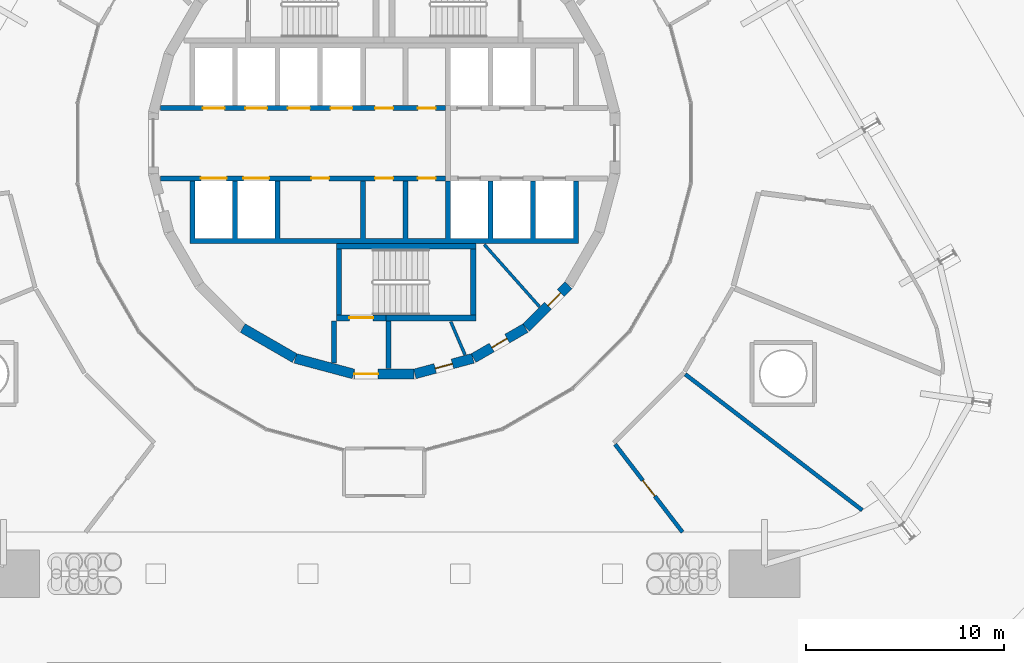
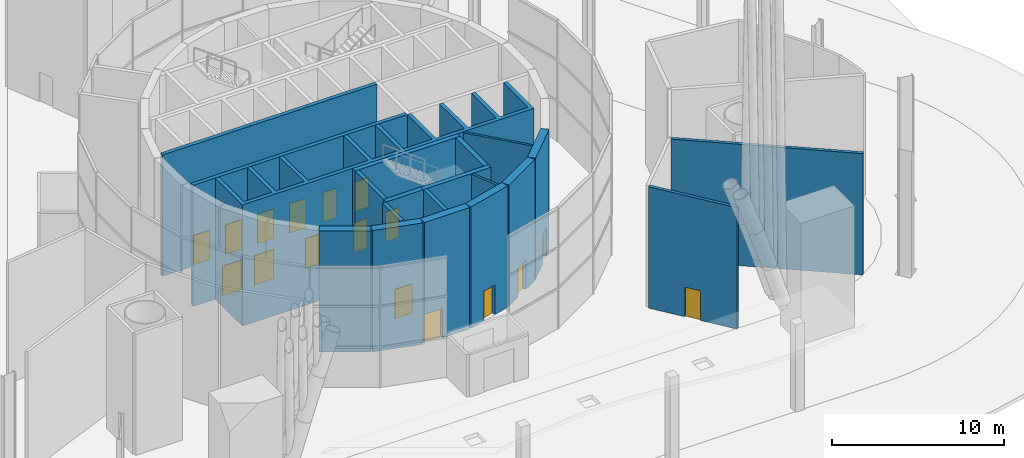
# One storey, part 15 of 21: 20 walls, 17 doors, 17 openings.
"""IFC4 building model written with IfcOpenShell, lengths in metres."""

from ifc_helpers import new_model, si_unit, direction, frame, frame_2d, origin, place, context, subcontext, project, spatial, polyline, rectangle, outline, extrude, material, layer, layer_set, type_object, element, fill, save


model = new_model("IFC4")

# Units and contexts
model_context = context("Model", 3, precision=1e-05, world=origin(), true_north=direction((0.0, 1.0)))
body_context = subcontext(model_context, "Body", "Model", "MODEL_VIEW")
ifc_project = project(units=[si_unit("LENGTHUNIT", "METRE"), si_unit("AREAUNIT", "SQUARE_METRE"), si_unit("VOLUMEUNIT", "CUBIC_METRE"), si_unit("PLANEANGLEUNIT", "RADIAN"), si_unit("MASSUNIT", "GRAM", prefix="KILO")], contexts=[model_context])

# Site, building, storey
site_placement = place(None, origin())
site = spatial("IfcSite", under=ifc_project, at=site_placement, CompositionType="ELEMENT")
building_placement = place(site_placement, origin())
building = spatial("IfcBuilding", under=site, at=building_placement, Name="Spindle Arch Residences", CompositionType="ELEMENT")
storey_placement = place(building_placement, origin())
storey = spatial("IfcBuildingStorey", under=building, at=storey_placement, Name="L00", CompositionType="ELEMENT", Elevation=0.0)

# Wall, opening, door
ifc_material_1 = material(Name="Concrete C50/60", Category="concrete")
ifc_layer_1 = layer(ifc_material_1, 0.5)
ifc_layer_set_1 = layer_set([ifc_layer_1], Name="Core outline wall 500")
wall_type_1 = type_object("IfcWallType", Name="Core outline wall 500", PredefinedType="SHEAR", material=ifc_layer_set_1)
wall_1_placement = place(storey_placement, frame((1.5498046875, -11.642822265625, 0.0), z_axis=(0.0, 0.0, 1.0), x_axis=(0.965948410781, 0.258734743916, 0.0)))
wall_1 = element("IfcWall", 1, at=wall_1_placement, inside=storey, type_object=wall_type_1, Name="Core outline wall 1", PredefinedType="SHEAR", context=body_context, shape_type="SweptSolid", body=[
    extrude(rectangle(XDim=3.03271484375, YDim=0.5, at=frame_2d((1.516357421875, 0.0))), origin(), (0.0, 0.0, 1.0), 8.6201171875),
])
opening_1_placement = place(wall_1_placement, frame((1.06640625, 0.0, 0.0)))
opening_1 = element("IfcOpeningElement", 2, at=opening_1_placement, cuts=wall_1, Name="Opening L00-WD09", PredefinedType="OPENING", context=body_context, shape_type="SweptSolid", body=[
    extrude(rectangle(XDim=0.89990234375, YDim=2.10009765625, at=frame_2d((0.449951171875, 1.050048828125))), frame((0.0, 0.260009765625, 0.0), z_axis=(0.0, -1.0, 0.0), x_axis=(1.0, 0.0, 0.0)), (0.0, 0.0, 1.0), 0.52001953125),
])
ifc_material_2 = material(Name="Steel, fire-resisting door", Category="steel")
door_type_1 = type_object("IfcDoorType", Name="Service room door 900x2100", OperationType="SINGLE_SWING_LEFT", PredefinedType="DOOR", material=ifc_material_2)
door_1_placement = place(opening_1_placement, origin())
door_1 = element("IfcDoor", 3, at=door_1_placement, inside=storey, type_object=door_type_1, Name="Service room door L00-WD09", OperationType="SINGLE_SWING_RIGHT", OverallHeight=2.10009765625, OverallWidth=0.89990234375, PredefinedType="DOOR", context=body_context, shape_type="SweptSolid", body=[
    extrude(rectangle(XDim=0.89990234375, YDim=2.10009765625, at=frame_2d((0.449951171875, 1.050048828125))), frame((0.0, 0.02490234375, 0.0), z_axis=(0.0, -1.0, 0.0), x_axis=(1.0, 0.0, 0.0)), (0.0, 0.0, 1.0), 0.050048828125),
])
fill(opening_1, door_1)

wall_2_placement = place(storey_placement, frame((4.510498046875, -10.84521484375, 0.0), z_axis=(0.0, 0.0, 1.0), x_axis=(0.865975092491, 0.500087131594, 0.0)))
wall_2 = element("IfcWall", 4, at=wall_2_placement, inside=storey, type_object=wall_type_1, Name="Core outline wall 2", PredefinedType="SHEAR", context=body_context, shape_type="SweptSolid", body=[
    extrude(rectangle(XDim=3.03271484375, YDim=0.5, at=frame_2d((1.516357421875, 0.0))), origin(), (0.0, 0.0, 1.0), 8.6201171875),
])
opening_2_placement = place(wall_2_placement, frame((1.06640625, 0.0, 0.0)))
opening_2 = element("IfcOpeningElement", 5, at=opening_2_placement, cuts=wall_2, Name="Opening L00-WD10", PredefinedType="OPENING", context=body_context, shape_type="SweptSolid", body=[
    extrude(rectangle(XDim=0.89990234375, YDim=2.10009765625, at=frame_2d((0.449951171875, 1.050048828125))), frame((0.0, 0.260009765625, 0.0), z_axis=(0.0, -1.0, 0.0), x_axis=(1.0, 0.0, 0.0)), (0.0, 0.0, 1.0), 0.52001953125),
])
door_2_placement = place(opening_2_placement, origin())
door_2 = element("IfcDoor", 6, at=door_2_placement, inside=storey, type_object=door_type_1, Name="Service room door L00-WD10", OperationType="SINGLE_SWING_LEFT", OverallHeight=2.10009765625, OverallWidth=0.89990234375, PredefinedType="DOOR", context=body_context, shape_type="SweptSolid", body=[
    extrude(rectangle(XDim=0.89990234375, YDim=2.10009765625, at=frame_2d((0.449951171875, 1.050048828125))), frame((0.0, 0.02490234375, 0.0), z_axis=(0.0, -1.0, 0.0), x_axis=(1.0, 0.0, 0.0)), (0.0, 0.0, 1.0), 0.050048828125),
])
fill(opening_2, door_2)

wall_3_placement = place(storey_placement, frame((7.163818359375, -9.30810546875, 0.0), z_axis=(0.0, 0.0, 1.0), x_axis=(0.707106781187, 0.707106781187, 0.0)))
wall_3 = element("IfcWall", 7, at=wall_3_placement, inside=storey, type_object=wall_type_1, Name="Core outline wall 3", PredefinedType="SHEAR", context=body_context, shape_type="SweptSolid", body=[
    extrude(rectangle(XDim=3.032470703125, YDim=0.5, at=frame_2d((1.51611328125, 0.0))), origin(), (0.0, 0.0, 1.0), 8.6201171875),
])
opening_3_placement = place(wall_3_placement, frame((1.56640625, 0.0, 0.0)))
opening_3 = element("IfcOpeningElement", 8, at=opening_3_placement, cuts=wall_3, Name="Opening L00-WD08", PredefinedType="OPENING", context=body_context, shape_type="SweptSolid", body=[
    extrude(rectangle(XDim=0.89990234375, YDim=2.10009765625, at=frame_2d((0.449951171875, 1.050048828125))), frame((0.0, 0.260009765625, 0.0), z_axis=(0.0, -1.0, 0.0), x_axis=(1.0, 0.0, 0.0)), (0.0, 0.0, 1.0), 0.52001953125),
])
door_3_placement = place(opening_3_placement, origin())
door_3 = element("IfcDoor", 9, at=door_3_placement, inside=storey, type_object=door_type_1, Name="Service room door L00-WD08", OperationType="SINGLE_SWING_LEFT", OverallHeight=2.10009765625, OverallWidth=0.89990234375, PredefinedType="DOOR", context=body_context, shape_type="SweptSolid", body=[
    extrude(rectangle(XDim=0.89990234375, YDim=2.10009765625, at=frame_2d((0.449951171875, 1.050048828125))), frame((0.0, 0.02490234375, 0.0), z_axis=(0.0, -1.0, 0.0), x_axis=(1.0, 0.0, 0.0)), (0.0, 0.0, 1.0), 0.050048828125),
])
fill(opening_3, door_3)

# Walls
for number, where, z_axis, x_axis, name in (
    (10, (-7.13671875, -9.32861328125, 0.0), (0.0, 0.0, 1.0), (0.865975092491, -0.500087131594, 0.0), "Core outline wall 22"),
    (11, (-4.479248046875, -10.858154296875, 0.0), (0.0, 0.0, 1.0), (0.965948410781, -0.258734743916, 0.0), "Core outline wall 23"),
):
    element("IfcWall", number, at=place(storey_placement, frame(where, z_axis=z_axis, x_axis=x_axis)), inside=storey, type_object=wall_type_1, Name=name, PredefinedType="SHEAR", context=body_context, shape_type="SweptSolid", body=[
        extrude(rectangle(XDim=3.03271484375, YDim=0.5, at=frame_2d((1.516357421875, 0.0))), origin(), (0.0, 0.0, 1.0), 8.6201171875),
    ])

# Wall, opening, door
wall_4_placement = place(storey_placement, frame((-1.516357421875, -11.647216796875, 0.0), z_axis=(0.0, 0.0, 1.0), x_axis=(1.0, 0.0, 0.0)))
wall_4 = element("IfcWall", 12, at=wall_4_placement, inside=storey, type_object=wall_type_1, Name="Core outline wall 24", PredefinedType="SHEAR", context=body_context, shape_type="SweptSolid", body=[
    extrude(rectangle(XDim=3.03271484375, YDim=0.5, at=frame_2d((1.516357421875, 0.0))), origin(), (0.0, 0.0, 1.0), 8.6201171875),
])
opening_4_placement = place(wall_4_placement, frame((0.016357421875, 0.0, 0.0)))
opening_4 = element("IfcOpeningElement", 13, at=opening_4_placement, cuts=wall_4, Name="Opening L00-AD03", PredefinedType="OPENING", context=body_context, shape_type="SweptSolid", body=[
    extrude(rectangle(XDim=1.199951171875, YDim=2.10009765625, at=frame_2d((0.60009765625, 1.050048828125))), frame((0.0, 0.260009765625, 0.0), z_axis=(0.0, -1.0, 0.0), x_axis=(1.0, 0.0, 0.0)), (0.0, 0.0, 1.0), 0.52001953125),
])
ifc_material_3 = material(Name="Steel, fire-resisting door", Category="steel")
door_type_2 = type_object("IfcDoorType", Name="Stair airlock door 1200x2100", OperationType="SINGLE_SWING_LEFT", PredefinedType="DOOR", material=ifc_material_3)
door_4_placement = place(opening_4_placement, origin())
door_4 = element("IfcDoor", 14, at=door_4_placement, inside=storey, type_object=door_type_2, Name="Stair airlock door L00-AD03", OperationType="SINGLE_SWING_RIGHT", OverallHeight=2.10009765625, OverallWidth=1.199951171875, PredefinedType="DOOR", context=body_context, shape_type="SweptSolid", body=[
    extrude(rectangle(XDim=1.199951171875, YDim=2.10009765625, at=frame_2d((0.60009765625, 1.050048828125))), frame((0.0, 0.02490234375, 0.0), z_axis=(0.0, -1.0, 0.0), x_axis=(1.0, 0.0, 0.0)), (0.0, 0.0, 1.0), 0.050048828125),
])
fill(opening_4, door_4)

# Wall, openings, doors
ifc_material_4 = material(Name="Concrete C50/60", Category="concrete")
ifc_layer_2 = layer(ifc_material_4, 0.25)
ifc_layer_set_2 = layer_set([ifc_layer_2], Name="Lift shaft wall 250")
wall_type_2 = type_object("IfcWallType", Name="Lift shaft wall 250", PredefinedType="SHEAR", material=ifc_layer_set_2)
wall_5_placement = place(storey_placement, frame((-11.280029296875, 1.77490234375, 0.0), z_axis=(0.0, 0.0, 1.0), x_axis=(1.0, 0.0, 0.0)))
wall_5 = element("IfcWall", 15, at=wall_5_placement, inside=storey, type_object=wall_type_2, Name="Lift shaft front wall NW", PredefinedType="SHEAR", context=body_context, shape_type="SweptSolid", body=[
    extrude(rectangle(XDim=14.380126953125, YDim=0.25, at=frame_2d((7.18994140625, 0.0))), origin(), (0.0, 0.0, 1.0), 8.6201171875),
])
opening_5_placement = place(wall_5_placement, frame((2.1298828125, 0.0, 0.0)))
opening_5 = element("IfcOpeningElement", 16, at=opening_5_placement, cuts=wall_5, Name="Opening L00-LD01", PredefinedType="OPENING", context=body_context, shape_type="SweptSolid", body=[
    extrude(rectangle(XDim=1.10009765625, YDim=2.10009765625, at=frame_2d((0.550048828125, 1.050048828125))), frame((0.0, 0.135009765625, 0.0), z_axis=(0.0, -1.0, 0.0), x_axis=(1.0, 0.0, 0.0)), (0.0, 0.0, 1.0), 0.27001953125),
])
opening_6_placement = place(wall_5_placement, frame((4.280029296875, 0.0, 0.0)))
opening_6 = element("IfcOpeningElement", 17, at=opening_6_placement, cuts=wall_5, Name="Opening L00-LD02", PredefinedType="OPENING", context=body_context, shape_type="SweptSolid", body=[
    extrude(rectangle(XDim=1.10009765625, YDim=2.10009765625, at=frame_2d((0.550048828125, 1.050048828125))), frame((0.0, 0.135009765625, 0.0), z_axis=(0.0, -1.0, 0.0), x_axis=(1.0, 0.0, 0.0)), (0.0, 0.0, 1.0), 0.27001953125),
])
opening_7_placement = place(wall_5_placement, frame((6.429931640625, 0.0, 0.0)))
opening_7 = element("IfcOpeningElement", 18, at=opening_7_placement, cuts=wall_5, Name="Opening L00-LD03", PredefinedType="OPENING", context=body_context, shape_type="SweptSolid", body=[
    extrude(rectangle(XDim=1.10009765625, YDim=2.10009765625, at=frame_2d((0.550048828125, 1.050048828125))), frame((0.0, 0.135009765625, 0.0), z_axis=(0.0, -1.0, 0.0), x_axis=(1.0, 0.0, 0.0)), (0.0, 0.0, 1.0), 0.27001953125),
])
opening_8_placement = place(wall_5_placement, frame((8.580078125, 0.0, 0.0)))
opening_8 = element("IfcOpeningElement", 19, at=opening_8_placement, cuts=wall_5, Name="Opening L00-LD04", PredefinedType="OPENING", context=body_context, shape_type="SweptSolid", body=[
    extrude(rectangle(XDim=1.10009765625, YDim=2.10009765625, at=frame_2d((0.550048828125, 1.050048828125))), frame((0.0, 0.135009765625, 0.0), z_axis=(0.0, -1.0, 0.0), x_axis=(1.0, 0.0, 0.0)), (0.0, 0.0, 1.0), 0.27001953125),
])
opening_9_placement = place(wall_5_placement, frame((10.830078125, 0.0, 0.0)))
opening_9 = element("IfcOpeningElement", 20, at=opening_9_placement, cuts=wall_5, Name="Opening L00-WD01", PredefinedType="OPENING", context=body_context, shape_type="SweptSolid", body=[
    extrude(rectangle(XDim=0.89990234375, YDim=2.10009765625, at=frame_2d((0.449951171875, 1.050048828125))), frame((0.0, 0.135009765625, 0.0), z_axis=(0.0, -1.0, 0.0), x_axis=(1.0, 0.0, 0.0)), (0.0, 0.0, 1.0), 0.27001953125),
])
opening_10_placement = place(wall_5_placement, frame((12.97998046875, 0.0, 0.0)))
opening_10 = element("IfcOpeningElement", 21, at=opening_10_placement, cuts=wall_5, Name="Opening L00-WD02", PredefinedType="OPENING", context=body_context, shape_type="SweptSolid", body=[
    extrude(rectangle(XDim=0.89990234375, YDim=2.10009765625, at=frame_2d((0.449951171875, 1.050048828125))), frame((0.0, 0.135009765625, 0.0), z_axis=(0.0, -1.0, 0.0), x_axis=(1.0, 0.0, 0.0)), (0.0, 0.0, 1.0), 0.27001953125),
])
ifc_material_5 = material(Name="Steel, fire-resisting landing door", Category="steel")
door_type_3 = type_object("IfcDoorType", Name="Lift landing door 1100x2100", OperationType="DOUBLE_DOOR_SLIDING", PredefinedType="DOOR", material=ifc_material_5)
door_5_placement = place(opening_5_placement, origin())
door_5 = element("IfcDoor", 22, at=door_5_placement, inside=storey, type_object=door_type_3, Name="Lift landing door L00-LD01", OperationType="DOUBLE_DOOR_SLIDING", OverallHeight=2.10009765625, OverallWidth=1.10009765625, PredefinedType="DOOR", context=body_context, shape_type="SweptSolid", body=[
    extrude(rectangle(XDim=1.10009765625, YDim=2.10009765625, at=frame_2d((0.550048828125, 1.050048828125))), frame((0.0, 0.02490234375, 0.0), z_axis=(0.0, -1.0, 0.0), x_axis=(1.0, 0.0, 0.0)), (0.0, 0.0, 1.0), 0.050048828125),
])
fill(opening_5, door_5)
door_6_placement = place(opening_6_placement, origin())
door_6 = element("IfcDoor", 23, at=door_6_placement, inside=storey, type_object=door_type_3, Name="Lift landing door L00-LD02", OperationType="DOUBLE_DOOR_SLIDING", OverallHeight=2.10009765625, OverallWidth=1.10009765625, PredefinedType="DOOR", context=body_context, shape_type="SweptSolid", body=[
    extrude(rectangle(XDim=1.10009765625, YDim=2.10009765625, at=frame_2d((0.550048828125, 1.050048828125))), frame((0.0, 0.02490234375, 0.0), z_axis=(0.0, -1.0, 0.0), x_axis=(1.0, 0.0, 0.0)), (0.0, 0.0, 1.0), 0.050048828125),
])
fill(opening_6, door_6)
door_7_placement = place(opening_7_placement, origin())
door_7 = element("IfcDoor", 24, at=door_7_placement, inside=storey, type_object=door_type_3, Name="Lift landing door L00-LD03", OperationType="DOUBLE_DOOR_SLIDING", OverallHeight=2.10009765625, OverallWidth=1.10009765625, PredefinedType="DOOR", context=body_context, shape_type="SweptSolid", body=[
    extrude(rectangle(XDim=1.10009765625, YDim=2.10009765625, at=frame_2d((0.550048828125, 1.050048828125))), frame((0.0, 0.02490234375, 0.0), z_axis=(0.0, -1.0, 0.0), x_axis=(1.0, 0.0, 0.0)), (0.0, 0.0, 1.0), 0.050048828125),
])
fill(opening_7, door_7)
door_8_placement = place(opening_8_placement, origin())
door_8 = element("IfcDoor", 25, at=door_8_placement, inside=storey, type_object=door_type_3, Name="Lift landing door L00-LD04", OperationType="DOUBLE_DOOR_SLIDING", OverallHeight=2.10009765625, OverallWidth=1.10009765625, PredefinedType="DOOR", context=body_context, shape_type="SweptSolid", body=[
    extrude(rectangle(XDim=1.10009765625, YDim=2.10009765625, at=frame_2d((0.550048828125, 1.050048828125))), frame((0.0, 0.02490234375, 0.0), z_axis=(0.0, -1.0, 0.0), x_axis=(1.0, 0.0, 0.0)), (0.0, 0.0, 1.0), 0.050048828125),
])
fill(opening_8, door_8)
door_9_placement = place(opening_9_placement, origin())
door_9 = element("IfcDoor", 26, at=door_9_placement, inside=storey, type_object=door_type_1, Name="Service room door L00-WD01", OperationType="SINGLE_SWING_RIGHT", OverallHeight=2.10009765625, OverallWidth=0.89990234375, PredefinedType="DOOR", context=body_context, shape_type="SweptSolid", body=[
    extrude(rectangle(XDim=0.89990234375, YDim=2.10009765625, at=frame_2d((0.449951171875, 1.050048828125))), frame((0.0, 0.02490234375, 0.0), z_axis=(0.0, -1.0, 0.0), x_axis=(1.0, 0.0, 0.0)), (0.0, 0.0, 1.0), 0.050048828125),
])
fill(opening_9, door_9)
door_10_placement = place(opening_10_placement, origin())
door_10 = element("IfcDoor", 27, at=door_10_placement, inside=storey, type_object=door_type_1, Name="Service room door L00-WD02", OperationType="SINGLE_SWING_LEFT", OverallHeight=2.10009765625, OverallWidth=0.89990234375, PredefinedType="DOOR", context=body_context, shape_type="SweptSolid", body=[
    extrude(rectangle(XDim=0.89990234375, YDim=2.10009765625, at=frame_2d((0.449951171875, 1.050048828125))), frame((0.0, 0.02490234375, 0.0), z_axis=(0.0, -1.0, 0.0), x_axis=(1.0, 0.0, 0.0)), (0.0, 0.0, 1.0), 0.050048828125),
])
fill(opening_10, door_10)

wall_6_placement = place(storey_placement, frame((-11.280029296875, -1.77490234375, 0.0), z_axis=(0.0, 0.0, 1.0), x_axis=(1.0, 0.0, 0.0)))
wall_6 = element("IfcWall", 28, at=wall_6_placement, inside=storey, type_object=wall_type_2, Name="Lift shaft front wall SW", PredefinedType="SHEAR", context=body_context, shape_type="SweptSolid", body=[
    extrude(rectangle(XDim=14.380126953125, YDim=0.25, at=frame_2d((7.18994140625, 0.0))), origin(), (0.0, 0.0, 1.0), 8.6201171875),
])
opening_11_placement = place(wall_6_placement, frame((2.030029296875, 0.0, 0.0)))
opening_11 = element("IfcOpeningElement", 29, at=opening_11_placement, cuts=wall_6, Name="Opening L00-XLD01", PredefinedType="OPENING", context=body_context, shape_type="SweptSolid", body=[
    extrude(rectangle(XDim=1.300048828125, YDim=2.10009765625, at=frame_2d((0.64990234375, 1.050048828125))), frame((0.0, 0.135009765625, 0.0), z_axis=(0.0, -1.0, 0.0), x_axis=(1.0, 0.0, 0.0)), (0.0, 0.0, 1.0), 0.27001953125),
])
opening_12_placement = place(wall_6_placement, frame((4.179931640625, 0.0, 0.0)))
opening_12 = element("IfcOpeningElement", 30, at=opening_12_placement, cuts=wall_6, Name="Opening L00-XLD02", PredefinedType="OPENING", context=body_context, shape_type="SweptSolid", body=[
    extrude(rectangle(XDim=1.300048828125, YDim=2.10009765625, at=frame_2d((0.64990234375, 1.050048828125))), frame((0.0, 0.135009765625, 0.0), z_axis=(0.0, -1.0, 0.0), x_axis=(1.0, 0.0, 0.0)), (0.0, 0.0, 1.0), 0.27001953125),
])
opening_13_placement = place(wall_6_placement, frame((7.60498046875, 0.0, 0.0)))
opening_13 = element("IfcOpeningElement", 31, at=opening_13_placement, cuts=wall_6, Name="Opening L00-WD04", PredefinedType="OPENING", context=body_context, shape_type="SweptSolid", body=[
    extrude(rectangle(XDim=0.89990234375, YDim=2.10009765625, at=frame_2d((0.449951171875, 1.050048828125))), frame((0.0, 0.135009765625, 0.0), z_axis=(0.0, -1.0, 0.0), x_axis=(1.0, 0.0, 0.0)), (0.0, 0.0, 1.0), 0.27001953125),
])
opening_14_placement = place(wall_6_placement, frame((10.830078125, 0.0, 0.0)))
opening_14 = element("IfcOpeningElement", 32, at=opening_14_placement, cuts=wall_6, Name="Opening L00-WD05", PredefinedType="OPENING", context=body_context, shape_type="SweptSolid", body=[
    extrude(rectangle(XDim=0.89990234375, YDim=2.10009765625, at=frame_2d((0.449951171875, 1.050048828125))), frame((0.0, 0.135009765625, 0.0), z_axis=(0.0, -1.0, 0.0), x_axis=(1.0, 0.0, 0.0)), (0.0, 0.0, 1.0), 0.27001953125),
])
opening_15_placement = place(wall_6_placement, frame((12.97998046875, 0.0, 0.0)))
opening_15 = element("IfcOpeningElement", 33, at=opening_15_placement, cuts=wall_6, Name="Opening L00-WD06", PredefinedType="OPENING", context=body_context, shape_type="SweptSolid", body=[
    extrude(rectangle(XDim=0.89990234375, YDim=2.10009765625, at=frame_2d((0.449951171875, 1.050048828125))), frame((0.0, 0.135009765625, 0.0), z_axis=(0.0, -1.0, 0.0), x_axis=(1.0, 0.0, 0.0)), (0.0, 0.0, 1.0), 0.27001953125),
])
ifc_material_6 = material(Name="Steel, fire-resisting landing door", Category="steel")
door_type_4 = type_object("IfcDoorType", Name="Express shuttle landing door 1300x2100", OperationType="DOUBLE_DOOR_SLIDING", PredefinedType="DOOR", material=ifc_material_6)
door_11_placement = place(opening_11_placement, origin())
door_11 = element("IfcDoor", 34, at=door_11_placement, inside=storey, type_object=door_type_4, Name="Express shuttle landing door L00-XLD01", OperationType="DOUBLE_DOOR_SLIDING", OverallHeight=2.10009765625, OverallWidth=1.300048828125, PredefinedType="DOOR", context=body_context, shape_type="SweptSolid", body=[
    extrude(rectangle(XDim=1.300048828125, YDim=2.10009765625, at=frame_2d((0.64990234375, 1.050048828125))), frame((0.0, 0.02490234375, 0.0), z_axis=(0.0, -1.0, 0.0), x_axis=(1.0, 0.0, 0.0)), (0.0, 0.0, 1.0), 0.050048828125),
])
fill(opening_11, door_11)
door_12_placement = place(opening_12_placement, origin())
door_12 = element("IfcDoor", 35, at=door_12_placement, inside=storey, type_object=door_type_4, Name="Express shuttle landing door L00-XLD02", OperationType="DOUBLE_DOOR_SLIDING", OverallHeight=2.10009765625, OverallWidth=1.300048828125, PredefinedType="DOOR", context=body_context, shape_type="SweptSolid", body=[
    extrude(rectangle(XDim=1.300048828125, YDim=2.10009765625, at=frame_2d((0.64990234375, 1.050048828125))), frame((0.0, 0.02490234375, 0.0), z_axis=(0.0, -1.0, 0.0), x_axis=(1.0, 0.0, 0.0)), (0.0, 0.0, 1.0), 0.050048828125),
])
fill(opening_12, door_12)
door_13_placement = place(opening_13_placement, origin())
door_13 = element("IfcDoor", 36, at=door_13_placement, inside=storey, type_object=door_type_1, Name="Service room door L00-WD04", OperationType="SINGLE_SWING_LEFT", OverallHeight=2.10009765625, OverallWidth=0.89990234375, PredefinedType="DOOR", context=body_context, shape_type="SweptSolid", body=[
    extrude(rectangle(XDim=0.89990234375, YDim=2.10009765625, at=frame_2d((0.449951171875, 1.050048828125))), frame((0.0, 0.02490234375, 0.0), z_axis=(0.0, -1.0, 0.0), x_axis=(1.0, 0.0, 0.0)), (0.0, 0.0, 1.0), 0.050048828125),
])
fill(opening_13, door_13)
door_14_placement = place(opening_14_placement, origin())
door_14 = element("IfcDoor", 37, at=door_14_placement, inside=storey, type_object=door_type_1, Name="Service room door L00-WD05", OperationType="SINGLE_SWING_RIGHT", OverallHeight=2.10009765625, OverallWidth=0.89990234375, PredefinedType="DOOR", context=body_context, shape_type="SweptSolid", body=[
    extrude(rectangle(XDim=0.89990234375, YDim=2.10009765625, at=frame_2d((0.449951171875, 1.050048828125))), frame((0.0, 0.02490234375, 0.0), z_axis=(0.0, -1.0, 0.0), x_axis=(1.0, 0.0, 0.0)), (0.0, 0.0, 1.0), 0.050048828125),
])
fill(opening_14, door_14)
door_15_placement = place(opening_15_placement, origin())
door_15 = element("IfcDoor", 38, at=door_15_placement, inside=storey, type_object=door_type_1, Name="Service room door L00-WD06", OperationType="SINGLE_SWING_LEFT", OverallHeight=2.10009765625, OverallWidth=0.89990234375, PredefinedType="DOOR", context=body_context, shape_type="SweptSolid", body=[
    extrude(rectangle(XDim=0.89990234375, YDim=2.10009765625, at=frame_2d((0.449951171875, 1.050048828125))), frame((0.0, 0.02490234375, 0.0), z_axis=(0.0, -1.0, 0.0), x_axis=(1.0, 0.0, 0.0)), (0.0, 0.0, 1.0), 0.050048828125),
])
fill(opening_15, door_15)

# Wall
ifc_material_7 = material(Name="Concrete C50/60", Category="concrete")
wall_type_3 = type_object("IfcWallType", Name="Lift shaft wall profile", PredefinedType="SHEAR", material=ifc_material_7)
wall_7_placement = place(storey_placement, origin())
element("IfcWall", 39, at=wall_7_placement, inside=storey, type_object=wall_type_3, Name="Lift shaft walls S", PredefinedType="SHEAR", context=body_context, shape_type="SweptSolid", body=[
    extrude(outline(polyline([(9.800048828125, -5.050048828125), (9.800048828125, -4.800048828125), (9.800048828125, -1.89990234375), (9.550048828125, -1.89990234375), (9.550048828125, -4.800048828125), (7.64990234375, -4.800048828125), (7.64990234375, -1.89990234375), (7.39990234375, -1.89990234375), (7.39990234375, -4.800048828125), (5.5, -4.800048828125), (5.5, -1.89990234375), (5.25, -1.89990234375), (5.25, -4.800048828125), (3.35009765625, -4.800048828125), (3.35009765625, -1.89990234375), (3.10009765625, -1.89990234375), (3.10009765625, -4.800048828125), (1.199951171875, -4.800048828125), (1.199951171875, -1.89990234375), (0.949951171875, -1.89990234375), (0.949951171875, -4.800048828125), (-0.949951171875, -4.800048828125), (-0.949951171875, -1.89990234375), (-1.199951171875, -1.89990234375), (-1.199951171875, -4.800048828125), (-5.25, -4.800048828125), (-5.25, -1.89990234375), (-5.5, -1.89990234375), (-5.5, -4.800048828125), (-7.39990234375, -4.800048828125), (-7.39990234375, -1.89990234375), (-7.64990234375, -1.89990234375), (-7.64990234375, -4.800048828125), (-9.550048828125, -4.800048828125), (-9.550048828125, -1.89990234375), (-9.800048828125, -1.89990234375), (-9.800048828125, -4.800048828125), (-9.800048828125, -5.050048828125), (9.800048828125, -5.050048828125)])), origin(), (0.0, 0.0, 1.0), 8.6201171875),
])

# Wall, opening, door
ifc_material_8 = material(Name="Gypsum board partition on steel studs", Category="steel")
ifc_layer_3 = layer(ifc_material_8, 0.199951171875)
ifc_layer_set_3 = layer_set([ifc_layer_3], Name="Partition EI 60 200 amenity")
wall_type_4 = type_object("IfcWallType", Name="Partition EI 60 200 amenity", PredefinedType="PARTITIONING", material=ifc_layer_set_3)
wall_8_placement = place(storey_placement, frame((15.06005859375, -19.6298828125, 0.0), z_axis=(0.0, 0.0, 1.0), x_axis=(-0.608694005511, 0.793405071609, 0.0)))
wall_8 = element("IfcWall", 40, at=wall_8_placement, inside=storey, type_object=wall_type_4, Name="L00-W050", PredefinedType="PARTITIONING", context=body_context, shape_type="SweptSolid", body=[
    extrude(rectangle(XDim=5.58447265625, YDim=0.199951171875, at=frame_2d((2.792236328125, 0.0))), origin(), (0.0, 0.0, 1.0), 8.6201171875),
])
opening_16_placement = place(wall_8_placement, frame((2.292236328125, 0.0, 0.0)))
opening_16 = element("IfcOpeningElement", 41, at=opening_16_placement, cuts=wall_8, Name="Opening L00-D03", PredefinedType="OPENING", context=body_context, shape_type="SweptSolid", body=[
    extrude(rectangle(XDim=1.0, YDim=2.10009765625, at=frame_2d((0.5, 1.050048828125))), frame((0.0, 0.10986328125, 0.0), z_axis=(0.0, -1.0, 0.0), x_axis=(1.0, 0.0, 0.0)), (0.0, 0.0, 1.0), 0.219970703125),
])
ifc_material_9 = material(Name="Timber door leaf", Category="wood")
door_type_5 = type_object("IfcDoorType", Name="Door 1000x2100 EI 30", OperationType="SINGLE_SWING_LEFT", PredefinedType="DOOR", material=ifc_material_9)
door_16_placement = place(opening_16_placement, origin())
door_16 = element("IfcDoor", 42, at=door_16_placement, inside=storey, type_object=door_type_5, Name="L00-D03", OperationType="SINGLE_SWING_LEFT", OverallHeight=2.10009765625, OverallWidth=1.0, PredefinedType="DOOR", context=body_context, shape_type="SweptSolid", body=[
    extrude(rectangle(XDim=1.0, YDim=2.10009765625, at=frame_2d((0.5, 1.050048828125))), frame((0.0, 0.02490234375, 0.0), z_axis=(0.0, -1.0, 0.0), x_axis=(1.0, 0.0, 0.0)), (0.0, 0.0, 1.0), 0.050048828125),
])
fill(opening_16, door_16)

# Walls
wall_9_placement = place(storey_placement, frame((15.19921875, -11.660888671875, 0.0), z_axis=(0.0, 0.0, 1.0), x_axis=(0.793079142838, -0.609118603554, 0.0)))
element("IfcWall", 43, at=wall_9_placement, inside=storey, type_object=wall_type_4, Name="L00-W052", PredefinedType="PARTITIONING", context=body_context, shape_type="SweptSolid", body=[
    extrude(rectangle(XDim=11.2607421875, YDim=0.199951171875, at=frame_2d((5.63037109375, 0.0))), origin(), (0.0, 0.0, 1.0), 8.6201171875),
])
ifc_material_10 = material(Name="Concrete C25/30", Category="concrete")
ifc_layer_4 = layer(ifc_material_10, 0.14990234375)
ifc_layer_set_4 = layer_set([ifc_layer_4], Name="Service room partition 150")
wall_type_5 = type_object("IfcWallType", Name="Service room partition 150", PredefinedType="PARTITIONING", material=ifc_layer_set_4)
wall_10_placement = place(storey_placement, frame((7.84228515625, -8.24755859375, 0.0), z_axis=(0.0, 0.0, 1.0), x_axis=(-0.66446128181, 0.747322691329, 0.0)))
element("IfcWall", 44, at=wall_10_placement, inside=storey, type_object=wall_type_5, Name="Core service room partition", PredefinedType="PARTITIONING", context=body_context, shape_type="SweptSolid", body=[
    extrude(rectangle(XDim=4.198486328125, YDim=0.14990234375, at=frame_2d((2.09912109375, 0.0))), origin(), (0.0, 0.0, 1.0), 8.6201171875),
])
wall_11_placement = place(storey_placement, frame((3.366943359375, -9.0068359375, 0.0), z_axis=(0.0, 0.0, 1.0), x_axis=(0.394387482265, -0.918944238696, 0.0)))
element("IfcWall", 45, at=wall_11_placement, inside=storey, type_object=wall_type_5, Name="Core service room partition", PredefinedType="PARTITIONING", context=body_context, shape_type="SweptSolid", body=[
    extrude(rectangle(XDim=1.824951171875, YDim=0.14990234375, at=frame_2d((0.91259765625, 0.0))), origin(), (0.0, 0.0, 1.0), 8.6201171875),
])
ifc_material_11 = material(Name="Concrete C40/50", Category="concrete")
ifc_layer_5 = layer(ifc_material_11, 0.25)
ifc_layer_set_5 = layer_set([ifc_layer_5], Name="Stair airlock wall 250")
wall_type_6 = type_object("IfcWallType", Name="Stair airlock wall 250", PredefinedType="SHEAR", material=ifc_layer_set_5)
wall_12_placement = place(storey_placement, frame((-2.52490234375, -8.969970703125, 0.0), z_axis=(0.0, 0.0, 1.0), x_axis=(0.0, -1.0, 0.0)))
element("IfcWall", 46, at=wall_12_placement, inside=storey, type_object=wall_type_6, Name="Stair ST-3 airlock wall W", PredefinedType="SHEAR", context=body_context, shape_type="SweptSolid", body=[
    extrude(rectangle(XDim=2.110107421875, YDim=0.25, at=frame_2d((1.05517578125, 0.0))), origin(), (0.0, 0.0, 1.0), 8.6201171875),
])
wall_13_placement = place(storey_placement, frame((0.22509765625, -8.969970703125, 0.0), z_axis=(0.0, 0.0, 1.0), x_axis=(0.0, -1.0, 0.0)))
element("IfcWall", 47, at=wall_13_placement, inside=storey, type_object=wall_type_6, Name="Stair ST-3 airlock wall E", PredefinedType="SHEAR", context=body_context, shape_type="SweptSolid", body=[
    extrude(rectangle(XDim=2.409912109375, YDim=0.25, at=frame_2d((1.205078125, 0.0))), origin(), (0.0, 0.0, 1.0), 8.6201171875),
])
ifc_material_12 = material(Name="Concrete C50/60", Category="concrete")
ifc_layer_6 = layer(ifc_material_12, 0.25)
ifc_layer_set_6 = layer_set([ifc_layer_6], Name="Stair enclosure wall 250")
wall_type_7 = type_object("IfcWallType", Name="Stair enclosure wall 250", PredefinedType="SHEAR", material=ifc_layer_set_6)
wall_14_placement = place(storey_placement, frame((-2.27490234375, -8.669921875, 0.0), z_axis=(0.0, 0.0, 1.0), x_axis=(0.0, 1.0, 0.0)))
element("IfcWall", 48, at=wall_14_placement, inside=storey, type_object=wall_type_7, Name="Stair ST-3 enclosure wall W", PredefinedType="SHEAR", context=body_context, shape_type="SweptSolid", body=[
    extrude(rectangle(XDim=3.31982421875, YDim=0.25, at=frame_2d((1.659912109375, 0.0))), origin(), (0.0, 0.0, 1.0), 8.6201171875),
])
ifc_material_13 = material(Name="Concrete C50/60", Category="concrete")
ifc_layer_7 = layer(ifc_material_13, 0.300048828125)
ifc_layer_set_7 = layer_set([ifc_layer_7], Name="Stair enclosure wall 300")
wall_type_8 = type_object("IfcWallType", Name="Stair enclosure wall 300", PredefinedType="SHEAR", material=ifc_layer_set_7)
wall_15_placement = place(storey_placement, frame((-2.39990234375, -5.199951171875, 0.0), z_axis=(0.0, 0.0, 1.0), x_axis=(1.0, 0.0, 0.0)))
element("IfcWall", 49, at=wall_15_placement, inside=storey, type_object=wall_type_8, Name="Stair ST-3 enclosure wall N", PredefinedType="SHEAR", context=body_context, shape_type="SweptSolid", body=[
    extrude(rectangle(XDim=7.0498046875, YDim=0.300048828125, at=frame_2d((3.52490234375, 0.0))), origin(), (0.0, 0.0, 1.0), 8.6201171875),
])
wall_16_placement = place(storey_placement, frame((4.5, -8.669921875, 0.0), z_axis=(0.0, 0.0, 1.0), x_axis=(0.0, 1.0, 0.0)))
element("IfcWall", 50, at=wall_16_placement, inside=storey, type_object=wall_type_8, Name="Stair ST-3 enclosure wall E", PredefinedType="SHEAR", context=body_context, shape_type="SweptSolid", body=[
    extrude(rectangle(XDim=3.31982421875, YDim=0.300048828125, at=frame_2d((1.659912109375, 0.0))), origin(), (0.0, 0.0, 1.0), 8.6201171875),
])
wall_17_placement = place(storey_placement, frame((0.10009765625, -8.820068359375, 0.0), z_axis=(0.0, 0.0, 1.0), x_axis=(1.0, 0.0, 0.0)))
element("IfcWall", 51, at=wall_17_placement, inside=storey, type_object=wall_type_8, Name="Stair ST-3 enclosure wall S", PredefinedType="SHEAR", context=body_context, shape_type="SweptSolid", body=[
    extrude(rectangle(XDim=4.5498046875, YDim=0.300048828125, at=frame_2d((2.27490234375, 0.0))), origin(), (0.0, 0.0, 1.0), 8.6201171875),
])

# Wall, opening, door
wall_18_placement = place(storey_placement, frame((-2.39990234375, -8.820068359375, 0.0), z_axis=(0.0, 0.0, 1.0), x_axis=(1.0, 0.0, 0.0)))
wall_18 = element("IfcWall", 52, at=wall_18_placement, inside=storey, type_object=wall_type_8, Name="Stair ST-3 door wall", PredefinedType="SHEAR", context=body_context, shape_type="SweptSolid", body=[
    extrude(rectangle(XDim=2.5, YDim=0.300048828125, at=frame_2d((1.25, 0.0))), origin(), (0.0, 0.0, 1.0), 8.6201171875),
])
opening_17_placement = place(wall_18_placement, frame((0.64990234375, 0.0, 0.0)))
opening_17 = element("IfcOpeningElement", 53, at=opening_17_placement, cuts=wall_18, Name="Opening L00-SD03", PredefinedType="OPENING", context=body_context, shape_type="SweptSolid", body=[
    extrude(rectangle(XDim=1.199951171875, YDim=2.10009765625, at=frame_2d((0.60009765625, 1.050048828125))), frame((0.0, 0.16015625, 0.0), z_axis=(0.0, -1.0, 0.0), x_axis=(1.0, 0.0, 0.0)), (0.0, 0.0, 1.0), 0.320068359375),
])
ifc_material_14 = material(Name="Steel, fire-resisting door", Category="steel")
door_type_6 = type_object("IfcDoorType", Name="Stair door 1200x2100", OperationType="SINGLE_SWING_RIGHT", PredefinedType="DOOR", material=ifc_material_14)
door_17_placement = place(opening_17_placement, origin())
door_17 = element("IfcDoor", 54, at=door_17_placement, inside=storey, type_object=door_type_6, Name="Stair door L00-SD03", OperationType="SINGLE_SWING_LEFT", OverallHeight=2.10009765625, OverallWidth=1.199951171875, PredefinedType="DOOR", context=body_context, shape_type="SweptSolid", body=[
    extrude(rectangle(XDim=1.199951171875, YDim=2.10009765625, at=frame_2d((0.60009765625, 1.050048828125))), frame((0.0, 0.02490234375, 0.0), z_axis=(0.0, -1.0, 0.0), x_axis=(1.0, 0.0, 0.0)), (0.0, 0.0, 1.0), 0.050048828125),
])
fill(opening_17, door_17)

save(model, "model.ifc")
